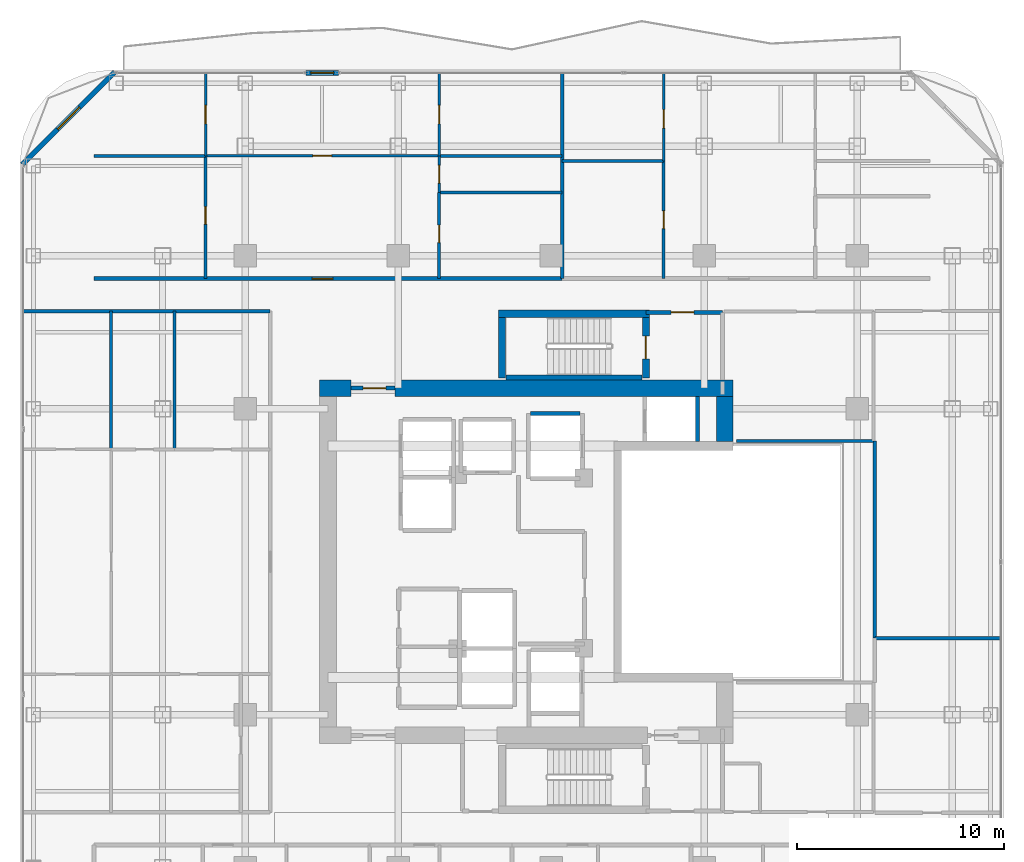
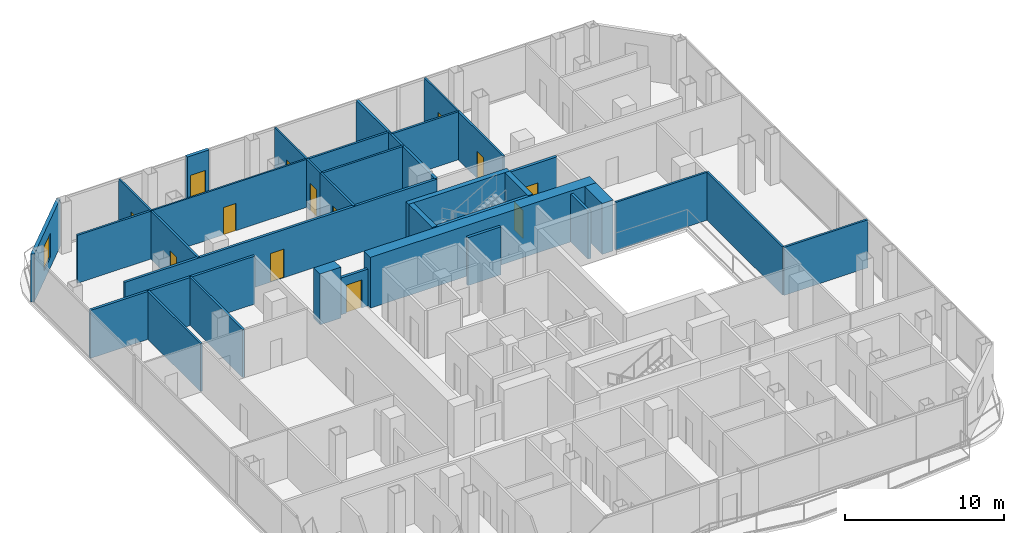
# One storey, part 21 of 25: 33 walls, 13 doors, 1 window, 14 openings.
"""IFC4 building model written with IfcOpenShell, lengths in metres."""

from ifc_helpers import new_model, si_unit, direction, frame, frame_2d, origin, place, context, subcontext, project, spatial, rectangle, extrude, material, layer, layer_set, type_object, element, fill, save


model = new_model("IFC4")

# Units and contexts
model_context = context("Model", 3, precision=1e-05, world=origin(), true_north=direction((0.0, 1.0)))
body_context = subcontext(model_context, "Body", "Model", "MODEL_VIEW")
ifc_project = project(units=[si_unit("LENGTHUNIT", "METRE"), si_unit("AREAUNIT", "SQUARE_METRE"), si_unit("VOLUMEUNIT", "CUBIC_METRE"), si_unit("PLANEANGLEUNIT", "RADIAN"), si_unit("MASSUNIT", "GRAM", prefix="KILO")], contexts=[model_context])

# Site, building, storey
site_placement = place(None, origin())
site = spatial("IfcSite", under=ifc_project, at=site_placement, CompositionType="ELEMENT")
building_placement = place(site_placement, origin())
building = spatial("IfcBuilding", under=site, at=building_placement, Name="Khorvyn Point Tower", CompositionType="ELEMENT")
storey_placement = place(building_placement, frame((0.0, 0.0, 171.89990234375)))
storey = spatial("IfcBuildingStorey", under=building, at=storey_placement, Name="L42", CompositionType="ELEMENT", Elevation=171.89990234375)

# Wall, opening, door
ifc_material_1 = material(Name="Double acoustic gypsum on twin steel stud", Category="steel")
ifc_layer_1 = layer(ifc_material_1, 0.179931640625)
ifc_layer_set_1 = layer_set([ifc_layer_1], Name="Acoustic Double-Stud Apartment Demising Wall 180")
wall_type_1 = type_object("IfcWallType", Name="Acoustic Double-Stud Apartment Demising Wall 180", PredefinedType="PARTITIONING", material=ifc_layer_set_1)
wall_1_placement = place(storey_placement, frame((-22.1201171875, 13.699951171875, 0.0), z_axis=(0.0, 0.0, 1.0), x_axis=(1.0, 0.0, 0.0)))
wall_1 = element("IfcWall", 1, at=wall_1_placement, inside=storey, type_object=wall_type_1, Name="Wall", PredefinedType="PARTITIONING", context=body_context, shape_type="SweptSolid", body=[
    extrude(rectangle(XDim=22.64599609375, YDim=0.179931640625, at=frame_2d((11.322998046875, 0.0))), origin(), (0.0, 0.0, 1.0), 3.68017578125),
])
opening_1_placement = place(wall_1_placement, frame((10.55419921875, 0.0, 0.0)))
opening_1 = element("IfcOpeningElement", 2, at=opening_1_placement, cuts=wall_1, Name="Opening ID-AP60", PredefinedType="OPENING", context=body_context, shape_type="SweptSolid", body=[
    extrude(rectangle(XDim=1.0, YDim=2.199951171875, at=frame_2d((0.5, 1.10009765625))), frame((0.0, 0.099853515625, 0.0), z_axis=(0.0, -1.0, 0.0), x_axis=(1.0, 0.0, 0.0)), (0.0, 0.0, 1.0), 0.199951171875),
])
ifc_material_2 = material(Name="Engineered hardwood fire-rated leaf", Category="wood")
door_type_1 = type_object("IfcDoorType", Name="Acoustic Solid-Core Timber Apartment Entrance Door 1000x2200", OperationType="NOTDEFINED", PredefinedType="DOOR", material=ifc_material_2)
door_1_placement = place(opening_1_placement, origin())
door_1 = element("IfcDoor", 3, at=door_1_placement, inside=storey, type_object=door_type_1, Name="Door", OperationType="SINGLE_SWING_RIGHT", OverallHeight=2.199951171875, OverallWidth=1.0, PredefinedType="DOOR", context=body_context, shape_type="SweptSolid", body=[
    extrude(rectangle(XDim=1.0, YDim=2.199951171875, at=frame_2d((0.5, 1.10009765625))), frame((0.0, 0.02490234375, 0.0), z_axis=(0.0, -1.0, 0.0), x_axis=(1.0, 0.0, 0.0)), (0.0, 0.0, 1.0), 0.050048828125),
])
fill(opening_1, door_1)

# Walls
wall_2_placement = place(storey_placement, frame((0.52587890625, 13.699951171875, 0.0), z_axis=(0.0, 0.0, 1.0), x_axis=(0.0, 1.0, 0.0)))
element("IfcWall", 4, at=wall_2_placement, inside=storey, type_object=wall_type_1, Name="Wall", PredefinedType="PARTITIONING", context=body_context, shape_type="SweptSolid", body=[
    extrude(rectangle(XDim=9.929931640625, YDim=0.179931640625, at=frame_2d((4.96484375, 0.0))), origin(), (0.0, 0.0, 1.0), 3.68017578125),
])
wall_3_placement = place(storey_placement, frame((-25.530029296875, 12.1201171875, 0.0), z_axis=(0.0, 0.0, 1.0), x_axis=(1.0, 0.0, 0.0)))
element("IfcWall", 5, at=wall_3_placement, inside=storey, type_object=wall_type_1, Name="Wall", PredefinedType="PARTITIONING", context=body_context, shape_type="SweptSolid", body=[
    extrude(rectangle(XDim=11.929931640625, YDim=0.179931640625, at=frame_2d((5.96484375, 0.0))), origin(), (0.0, 0.0, 1.0), 3.68017578125),
])

# Wall, opening, door
ifc_material_3 = material(Name="Pale anodised aluminium rainscreen on steel stud", Category="steel")
ifc_layer_2 = layer(ifc_material_3, 0.239990234375)
ifc_layer_set_2 = layer_set([ifc_layer_2], Name="Anodised Aluminium Insulated Corner Spandrel Wall 240")
wall_type_2 = type_object("IfcWallType", Name="Anodised Aluminium Insulated Corner Spandrel Wall 240", PredefinedType="SOLIDWALL", material=ifc_layer_set_2)
wall_4_placement = place(storey_placement, frame((-11.866943359375, 23.64990234375, 0.0), z_axis=(0.0, 0.0, 1.0), x_axis=(1.0, 0.0, 0.0)))
wall_4 = element("IfcWall", 6, at=wall_4_placement, inside=storey, type_object=wall_type_2, Name="L42 North Outdoor Threshold Wall", PredefinedType="SOLIDWALL", context=body_context, shape_type="SweptSolid", body=[
    extrude(rectangle(XDim=1.579833984375, YDim=0.239990234375, at=frame_2d((0.7900390625, 0.0))), origin(), (0.0, 0.0, 1.0), 3.68017578125),
])
opening_2_placement = place(wall_4_placement, frame((0.239990234375, 0.0, 0.0)))
opening_2 = element("IfcOpeningElement", 7, at=opening_2_placement, cuts=wall_4, Name="Opening BD-1122", PredefinedType="OPENING", context=body_context, shape_type="SweptSolid", body=[
    extrude(rectangle(XDim=1.10009765625, YDim=2.199951171875, at=frame_2d((0.550048828125, 1.10009765625))), frame((0.0, 0.1298828125, 0.0), z_axis=(0.0, -1.0, 0.0), x_axis=(1.0, 0.0, 0.0)), (0.0, 0.0, 1.0), 0.260009765625),
])
ifc_material_4 = material(Name="Anodised aluminium 6063-T6 and laminated Low-E glass", Category="aluminium")
door_type_2 = type_object("IfcDoorType", Name="Glazed Balcony and Terrace Threshold Door 1100x2200", OperationType="NOTDEFINED", PredefinedType="DOOR", material=ifc_material_4)
door_2_placement = place(opening_2_placement, origin())
door_2 = element("IfcDoor", 8, at=door_2_placement, inside=storey, type_object=door_type_2, Name="L42 North Glazed Balcony Outdoor Door", OperationType="SINGLE_SWING_RIGHT", OverallHeight=2.199951171875, OverallWidth=1.10009765625, PredefinedType="DOOR", context=body_context, shape_type="SweptSolid", body=[
    extrude(rectangle(XDim=1.10009765625, YDim=2.199951171875, at=frame_2d((0.550048828125, 1.10009765625))), frame((0.0, 0.02490234375, 0.0), z_axis=(0.0, -1.0, 0.0), x_axis=(1.0, 0.0, 0.0)), (0.0, 0.0, 1.0), 0.050048828125),
])
fill(opening_2, door_2)

# Wall, opening, window
wall_5_placement = place(storey_placement, frame((-25.59228515625, 19.20751953125, 0.0), z_axis=(0.0, 0.0, 1.0), x_axis=(0.707087534163, 0.707126027686, 0.0)))
wall_5 = element("IfcWall", 9, at=wall_5_placement, inside=storey, type_object=wall_type_2, Name="L42 Rounded Corner Wall NW", PredefinedType="SOLIDWALL", context=body_context, shape_type="SweptSolid", body=[
    extrude(rectangle(XDim=6.34228515625, YDim=0.239990234375, at=frame_2d((3.171142578125, 0.0))), origin(), (0.0, 0.0, 1.0), 3.68017578125),
])
opening_3_placement = place(wall_5_placement, frame((2.42138671875, 0.0, 0.800048828125)))
opening_3 = element("IfcOpeningElement", 10, at=opening_3_placement, cuts=wall_5, Name="Opening WN-1518", PredefinedType="OPENING", context=body_context, shape_type="SweptSolid", body=[
    extrude(rectangle(XDim=1.5, YDim=1.85009765625, at=frame_2d((0.75, 0.925048828125))), frame((0.0, 0.1298828125, 0.0), z_axis=(0.0, -1.0, 0.0), x_axis=(1.0, 0.0, 0.0)), (0.0, 0.0, 1.0), 0.260009765625),
])
window_type = type_object("IfcWindowType", Name="Anodised Aluminium Rounded-Corner Panoramic Window 1500x1850", PartitioningType="SINGLE_PANEL", PredefinedType="WINDOW", material=ifc_material_4)
window_placement = place(opening_3_placement, origin())
window = element("IfcWindow", 11, at=window_placement, inside=storey, type_object=window_type, Name="L42 Corner Panoramic Window NW", OverallHeight=1.85009765625, OverallWidth=1.5, PartitioningType="SINGLE_PANEL", PredefinedType="WINDOW", context=body_context, shape_type="SweptSolid", body=[
    extrude(rectangle(XDim=1.5, YDim=1.85009765625, at=frame_2d((0.75, 0.925048828125))), frame((0.0, 0.030029296875, 0.0), z_axis=(0.0, -1.0, 0.0), x_axis=(1.0, 0.0, 0.0)), (0.0, 0.0, 1.0), 0.06005859375),
])
fill(opening_3, window)

# Wall, opening, door
ifc_material_5 = material(Name="Concrete C40/50", Category="concrete")
ifc_layer_3 = layer(ifc_material_5, 0.199951171875)
ifc_layer_set_3 = layer_set([ifc_layer_3], Name="Concrete C40/50 Fire-Lobby Compartment Wall 200")
wall_type_3 = type_object("IfcWallType", Name="Concrete C40/50 Fire-Lobby Compartment Wall 200", PredefinedType="SOLIDWALL", material=ifc_layer_set_3)
wall_6_placement = place(storey_placement, frame((4.580078125, 12.06005859375, 0.0), z_axis=(0.0, 0.0, 1.0), x_axis=(1.0, 0.0, 0.0)))
wall_6 = element("IfcWall", 12, at=wall_6_placement, inside=storey, type_object=wall_type_3, Name="Wall", PredefinedType="SOLIDWALL", context=body_context, shape_type="SweptSolid", body=[
    extrude(rectangle(XDim=3.699951171875, YDim=0.199951171875, at=frame_2d((1.85009765625, 0.0))), origin(), (0.0, 0.0, 1.0), 3.68017578125),
])
opening_4_placement = place(wall_6_placement, frame((1.21240234375, 0.0, 0.0)))
opening_4 = element("IfcOpeningElement", 13, at=opening_4_placement, cuts=wall_6, Name="Opening ID-FL90", PredefinedType="OPENING", context=body_context, shape_type="SweptSolid", body=[
    extrude(rectangle(XDim=1.10009765625, YDim=2.14990234375, at=frame_2d((0.550048828125, 1.074951171875))), frame((0.0, 0.10986328125, 0.0), z_axis=(0.0, -1.0, 0.0), x_axis=(1.0, 0.0, 0.0)), (0.0, 0.0, 1.0), 0.219970703125),
])
ifc_material_6 = material(Name="Galvanised powder-coated steel", Category="steel")
door_type_3 = type_object("IfcDoorType", Name="Fire-Rated Steel Lobby and Stair Door 1100x2150", OperationType="NOTDEFINED", PredefinedType="DOOR", material=ifc_material_6)
door_3_placement = place(opening_4_placement, origin())
door_3 = element("IfcDoor", 14, at=door_3_placement, inside=storey, type_object=door_type_3, Name="Door", OperationType="SINGLE_SWING_RIGHT", OverallHeight=2.14990234375, OverallWidth=1.10009765625, PredefinedType="DOOR", context=body_context, shape_type="SweptSolid", body=[
    extrude(rectangle(XDim=1.10009765625, YDim=2.14990234375, at=frame_2d((0.550048828125, 1.074951171875))), frame((0.0, 0.02490234375, 0.0), z_axis=(0.0, -1.0, 0.0), x_axis=(1.0, 0.0, 0.0)), (0.0, 0.0, 1.0), 0.050048828125),
])
fill(opening_4, door_3)

wall_7_placement = place(storey_placement, frame((-9.699951171875, 8.39990234375, 0.0), z_axis=(0.0, 0.0, 1.0), x_axis=(1.0, 0.0, 0.0)))
wall_7 = element("IfcWall", 15, at=wall_7_placement, inside=storey, type_object=wall_type_3, Name="Wall", PredefinedType="SOLIDWALL", context=body_context, shape_type="SweptSolid", body=[
    extrude(rectangle(XDim=2.14990234375, YDim=0.199951171875, at=frame_2d((1.074951171875, 0.0))), origin(), (0.0, 0.0, 1.0), 2.820068359375),
])
opening_5_placement = place(wall_7_placement, frame((0.597900390625, 0.0, 0.0)))
opening_5 = element("IfcOpeningElement", 16, at=opening_5_placement, cuts=wall_7, Name="Opening ID-FL90", PredefinedType="OPENING", context=body_context, shape_type="SweptSolid", body=[
    extrude(rectangle(XDim=1.10009765625, YDim=2.14990234375, at=frame_2d((0.550048828125, 1.074951171875))), frame((0.0, 0.10986328125, 0.0), z_axis=(0.0, -1.0, 0.0), x_axis=(1.0, 0.0, 0.0)), (0.0, 0.0, 1.0), 0.219970703125),
])
door_4_placement = place(opening_5_placement, origin())
door_4 = element("IfcDoor", 17, at=door_4_placement, inside=storey, type_object=door_type_3, Name="Door", OperationType="SINGLE_SWING_RIGHT", OverallHeight=2.14990234375, OverallWidth=1.10009765625, PredefinedType="DOOR", context=body_context, shape_type="SweptSolid", body=[
    extrude(rectangle(XDim=1.10009765625, YDim=2.14990234375, at=frame_2d((0.550048828125, 1.074951171875))), frame((0.0, 0.02490234375, 0.0), z_axis=(0.0, -1.0, 0.0), x_axis=(1.0, 0.0, 0.0)), (0.0, 0.0, 1.0), 0.050048828125),
])
fill(opening_5, door_4)

# Walls
ifc_layer_4 = layer(ifc_material_5, 0.25)
ifc_layer_set_4 = layer_set([ifc_layer_4], Name="Concrete C40/50 Stair Inner Cheek Structural Wall 250")
wall_type_4 = type_object("IfcWallType", Name="Concrete C40/50 Stair Inner Cheek Structural Wall 250", PredefinedType="SHEAR", material=ifc_layer_set_4)
wall_8_placement = place(storey_placement, frame((-2.199951171875, 8.91259765625, 0.0), z_axis=(0.0, 0.0, 1.0), x_axis=(1.0, 0.0, 0.0)))
element("IfcWall", 18, at=wall_8_placement, inside=storey, type_object=wall_type_4, Name="Wall", PredefinedType="SHEAR", context=body_context, shape_type="SweptSolid", body=[
    extrude(rectangle(XDim=6.599853515625, YDim=0.22509765625, at=frame_2d((3.2998046875, 0.0))), origin(), (0.0, 0.0, 1.0), 3.900146484375),
])
ifc_layer_5 = layer(ifc_material_5, 0.35009765625)
ifc_layer_set_5 = layer_set([ifc_layer_5], Name="Concrete C40/50 Stair Shaft Structural Wall 350")
wall_type_5 = type_object("IfcWallType", Name="Concrete C40/50 Stair Shaft Structural Wall 350", PredefinedType="SHEAR", material=ifc_layer_set_5)
wall_9_placement = place(storey_placement, frame((-2.554931640625, 12.0, 0.0), z_axis=(0.0, 0.0, 1.0), x_axis=(1.0, 0.0, 0.0)))
element("IfcWall", 19, at=wall_9_placement, inside=storey, type_object=wall_type_5, Name="L42 ST-02 North Shaft Wall", PredefinedType="SHEAR", context=body_context, shape_type="SweptSolid", body=[
    extrude(rectangle(XDim=7.309814453125, YDim=0.35009765625, at=frame_2d((3.65478515625, 0.0))), origin(), (0.0, 0.0, 1.0), 3.900146484375),
])
wall_10_placement = place(storey_placement, frame((-2.3798828125, 8.89990234375, 0.0), z_axis=(0.0, 0.0, 1.0), x_axis=(0.0, 1.0, 0.0)))
element("IfcWall", 20, at=wall_10_placement, inside=storey, type_object=wall_type_5, Name="L42 ST-02 West Shaft Wall", PredefinedType="SHEAR", context=body_context, shape_type="SweptSolid", body=[
    extrude(rectangle(XDim=2.925048828125, YDim=0.35009765625, at=frame_2d((1.46240234375, 0.0))), origin(), (0.0, 0.0, 1.0), 3.900146484375),
])

# Wall, opening, door
wall_11_placement = place(storey_placement, frame((4.580078125, 11.824951171875, 0.0), z_axis=(0.0, 0.0, 1.0), x_axis=(0.0, -1.0, 0.0)))
wall_11 = element("IfcWall", 21, at=wall_11_placement, inside=storey, type_object=wall_type_5, Name="L42 ST-02 East Landing Door Wall", PredefinedType="SHEAR", context=body_context, shape_type="SweptSolid", body=[
    extrude(rectangle(XDim=2.925048828125, YDim=0.35009765625, at=frame_2d((1.46240234375, 0.0))), origin(), (0.0, 0.0, 1.0), 3.900146484375),
])
opening_6_placement = place(wall_11_placement, frame((0.91259765625, 0.0, 0.0)))
opening_6 = element("IfcOpeningElement", 22, at=opening_6_placement, cuts=wall_11, Name="Opening ID-FL90", PredefinedType="OPENING", context=body_context, shape_type="SweptSolid", body=[
    extrude(rectangle(XDim=1.10009765625, YDim=2.14990234375, at=frame_2d((0.550048828125, 1.074951171875))), frame((0.0, 0.18505859375, 0.0), z_axis=(0.0, -1.0, 0.0), x_axis=(1.0, 0.0, 0.0)), (0.0, 0.0, 1.0), 0.3701171875),
])
door_5_placement = place(opening_6_placement, origin())
door_5 = element("IfcDoor", 23, at=door_5_placement, inside=storey, type_object=door_type_3, Name="L42 ST-02 Smokeproof Landing Door", OperationType="SINGLE_SWING_LEFT", OverallHeight=2.14990234375, OverallWidth=1.10009765625, PredefinedType="DOOR", context=body_context, shape_type="SweptSolid", body=[
    extrude(rectangle(XDim=1.10009765625, YDim=2.14990234375, at=frame_2d((0.550048828125, 1.074951171875))), frame((0.0, 0.02490234375, 0.0), z_axis=(0.0, -1.0, 0.0), x_axis=(1.0, 0.0, 0.0)), (0.0, 0.0, 1.0), 0.050048828125),
])
fill(opening_6, door_5)

# Walls
ifc_layer_6 = layer(ifc_material_5, 0.199951171875)
ifc_layer_set_6 = layer_set([ifc_layer_6], Name="Concrete C40/50 Structural Hoistway and Stair Shaft Wall 200")
wall_type_6 = type_object("IfcWallType", Name="Concrete C40/50 Structural Hoistway and Stair Shaft Wall 200", PredefinedType="SHEAR", material=ifc_layer_set_6)
wall_12_placement = place(storey_placement, frame((-1.0, 7.175048828125, 0.0), z_axis=(0.0, 0.0, 1.0), x_axis=(1.0, 0.0, 0.0)))
element("IfcWall", 24, at=wall_12_placement, inside=storey, type_object=wall_type_6, Name="Wall", PredefinedType="SHEAR", context=body_context, shape_type="SweptSolid", body=[
    extrude(rectangle(XDim=2.39990234375, YDim=0.199951171875, at=frame_2d((1.199951171875, 0.0))), origin(), (0.0, 0.0, 1.0), 3.68017578125),
])
wall_13_placement = place(storey_placement, frame((7.074951171875, 5.824951171875, 0.0), z_axis=(0.0, 0.0, 1.0), x_axis=(0.0, 1.0, 0.0)))
element("IfcWall", 25, at=wall_13_placement, inside=storey, type_object=wall_type_6, Name="Wall", PredefinedType="SHEAR", context=body_context, shape_type="SweptSolid", body=[
    extrude(rectangle(XDim=2.175048828125, YDim=0.199951171875, at=frame_2d((1.08740234375, 0.0))), origin(), (0.0, 0.0, 1.0), 3.68017578125),
])
ifc_material_7 = material(Name="Concrete C45/55", Category="concrete")
ifc_layer_7 = layer(ifc_material_7, 0.800048828125)
ifc_layer_set_7 = layer_set([ifc_layer_7], Name="Concrete C45/55 Core Shear Wall 800")
wall_type_7 = type_object("IfcWallType", Name="Concrete C45/55 Core Shear Wall 800", PredefinedType="SHEAR", material=ifc_layer_set_7)
wall_14_placement = place(storey_placement, frame((-11.199951171875, 8.39990234375, 0.0), z_axis=(0.0, 0.0, 1.0), x_axis=(1.0, 0.0, 0.0)))
element("IfcWall", 26, at=wall_14_placement, inside=storey, type_object=wall_type_7, Name="Wall", PredefinedType="SHEAR", context=body_context, shape_type="SweptSolid", body=[
    extrude(rectangle(XDim=1.5, YDim=0.800048828125, at=frame_2d((0.75, 0.0))), origin(), (0.0, 0.0, 1.0), 3.900146484375),
])
wall_15_placement = place(storey_placement, frame((-7.550048828125, 8.39990234375, 0.0), z_axis=(0.0, 0.0, 1.0), x_axis=(1.0, 0.0, 0.0)))
element("IfcWall", 27, at=wall_15_placement, inside=storey, type_object=wall_type_7, Name="Wall", PredefinedType="SHEAR", context=body_context, shape_type="SweptSolid", body=[
    extrude(rectangle(XDim=16.35009765625, YDim=0.800048828125, at=frame_2d((8.175048828125, 0.0))), origin(), (0.0, 0.0, 1.0), 3.900146484375),
])
wall_16_placement = place(storey_placement, frame((8.39990234375, 5.824951171875, 0.0), z_axis=(0.0, 0.0, 1.0), x_axis=(0.0, 1.0, 0.0)))
element("IfcWall", 28, at=wall_16_placement, inside=storey, type_object=wall_type_7, Name="Wall", PredefinedType="SHEAR", context=body_context, shape_type="SweptSolid", body=[
    extrude(rectangle(XDim=2.175048828125, YDim=0.800048828125, at=frame_2d((1.08740234375, 0.0))), origin(), (0.0, 0.0, 1.0), 3.900146484375),
])

# Wall, opening, door
ifc_material_8 = material(Name="Gypsum plasterboard on steel stud", Category="steel")
ifc_layer_8 = layer(ifc_material_8, 0.1201171875)
ifc_layer_set_8 = layer_set([ifc_layer_8], Name="Gypsum Acoustic Stud Room Partition Wall 120")
wall_type_8 = type_object("IfcWallType", Name="Gypsum Acoustic Stud Room Partition Wall 120", PredefinedType="PARTITIONING", material=ifc_layer_set_8)
wall_17_placement = place(storey_placement, frame((-16.72607421875, 19.634033203125, 0.0), z_axis=(0.0, 0.0, 1.0), x_axis=(1.0, 0.0, 0.0)))
wall_17 = element("IfcWall", 29, at=wall_17_placement, inside=storey, type_object=wall_type_8, Name="Wall", PredefinedType="PARTITIONING", context=body_context, shape_type="SweptSolid", body=[
    extrude(rectangle(XDim=11.298095703125, YDim=0.1201171875, at=frame_2d((5.64892578125, 0.0))), origin(), (0.0, 0.0, 1.0), 3.68017578125),
])
opening_7_placement = place(wall_17_placement, frame((5.198974609375, 0.0, 0.0)))
opening_7 = element("IfcOpeningElement", 30, at=opening_7_placement, cuts=wall_17, Name="Opening ID-RM90", PredefinedType="OPENING", context=body_context, shape_type="SweptSolid", body=[
    extrude(rectangle(XDim=0.89990234375, YDim=2.10009765625, at=frame_2d((0.449951171875, 1.050048828125))), frame((0.0, 0.070068359375, 0.0), z_axis=(0.0, -1.0, 0.0), x_axis=(1.0, 0.0, 0.0)), (0.0, 0.0, 1.0), 0.14013671875),
])
ifc_material_9 = material(Name="Engineered oak veneer timber", Category="wood")
door_type_4 = type_object("IfcDoorType", Name="Flush Engineered Timber Room Door 900x2100", OperationType="NOTDEFINED", PredefinedType="DOOR", material=ifc_material_9)
door_6_placement = place(opening_7_placement, origin())
door_6 = element("IfcDoor", 31, at=door_6_placement, inside=storey, type_object=door_type_4, Name="Door", OperationType="SINGLE_SWING_LEFT", OverallHeight=2.10009765625, OverallWidth=0.89990234375, PredefinedType="DOOR", context=body_context, shape_type="SweptSolid", body=[
    extrude(rectangle(XDim=0.89990234375, YDim=2.10009765625, at=frame_2d((0.449951171875, 1.050048828125))), frame((0.0, 0.02490234375, 0.0), z_axis=(0.0, -1.0, 0.0), x_axis=(1.0, 0.0, 0.0)), (0.0, 0.0, 1.0), 0.050048828125),
])
fill(opening_7, door_6)

wall_18_placement = place(storey_placement, frame((-16.72607421875, 19.634033203125, 0.0), z_axis=(0.0, 0.0, 1.0), x_axis=(0.0, 1.0, 0.0)))
wall_18 = element("IfcWall", 32, at=wall_18_placement, inside=storey, type_object=wall_type_8, Name="Wall", PredefinedType="PARTITIONING", context=body_context, shape_type="SweptSolid", body=[
    extrude(rectangle(XDim=3.995849609375, YDim=0.1201171875, at=frame_2d((1.998046875, 0.0))), origin(), (0.0, 0.0, 1.0), 3.68017578125),
])
opening_8_placement = place(wall_18_placement, frame((1.548095703125, 0.0, 0.0)))
opening_8 = element("IfcOpeningElement", 33, at=opening_8_placement, cuts=wall_18, Name="Opening ID-RM90", PredefinedType="OPENING", context=body_context, shape_type="SweptSolid", body=[
    extrude(rectangle(XDim=0.89990234375, YDim=2.10009765625, at=frame_2d((0.449951171875, 1.050048828125))), frame((0.0, 0.070068359375, 0.0), z_axis=(0.0, -1.0, 0.0), x_axis=(1.0, 0.0, 0.0)), (0.0, 0.0, 1.0), 0.14013671875),
])
door_7_placement = place(opening_8_placement, origin())
door_7 = element("IfcDoor", 34, at=door_7_placement, inside=storey, type_object=door_type_4, Name="Door", OperationType="SINGLE_SWING_LEFT", OverallHeight=2.10009765625, OverallWidth=0.89990234375, PredefinedType="DOOR", context=body_context, shape_type="SweptSolid", body=[
    extrude(rectangle(XDim=0.89990234375, YDim=2.10009765625, at=frame_2d((0.449951171875, 1.050048828125))), frame((0.0, 0.02490234375, 0.0), z_axis=(0.0, -1.0, 0.0), x_axis=(1.0, 0.0, 0.0)), (0.0, 0.0, 1.0), 0.050048828125),
])
fill(opening_8, door_7)

wall_19_placement = place(storey_placement, frame((-5.427978515625, 17.85400390625, 0.0), z_axis=(0.0, 0.0, 1.0), x_axis=(0.0, 1.0, 0.0)))
wall_19 = element("IfcWall", 35, at=wall_19_placement, inside=storey, type_object=wall_type_8, Name="Wall", PredefinedType="PARTITIONING", context=body_context, shape_type="SweptSolid", body=[
    extrude(rectangle(XDim=1.780029296875, YDim=0.1201171875, at=frame_2d((0.89013671875, 0.0))), origin(), (0.0, 0.0, 1.0), 3.68017578125),
])
opening_9_placement = place(wall_19_placement, frame((0.465087890625, 0.0, 0.0)))
opening_9 = element("IfcOpeningElement", 36, at=opening_9_placement, cuts=wall_19, Name="Opening ID-WC85", PredefinedType="OPENING", context=body_context, shape_type="SweptSolid", body=[
    extrude(rectangle(XDim=0.85009765625, YDim=2.10009765625, at=frame_2d((0.425048828125, 1.050048828125))), frame((0.0, 0.070068359375, 0.0), z_axis=(0.0, -1.0, 0.0), x_axis=(1.0, 0.0, 0.0)), (0.0, 0.0, 1.0), 0.14013671875),
])
ifc_material_10 = material(Name="High-pressure laminate on moisture-resistant core", Category="wood")
door_type_5 = type_object("IfcDoorType", Name="Moisture-Resistant Accessible Washroom Door 850x2100", OperationType="NOTDEFINED", PredefinedType="DOOR", material=ifc_material_10)
door_8_placement = place(opening_9_placement, origin())
door_8 = element("IfcDoor", 37, at=door_8_placement, inside=storey, type_object=door_type_5, Name="Door", OperationType="SINGLE_SWING_LEFT", OverallHeight=2.10009765625, OverallWidth=0.85009765625, PredefinedType="DOOR", context=body_context, shape_type="SweptSolid", body=[
    extrude(rectangle(XDim=0.85009765625, YDim=2.10009765625, at=frame_2d((0.425048828125, 1.050048828125))), frame((0.0, 0.02490234375, 0.0), z_axis=(0.0, -1.0, 0.0), x_axis=(1.0, 0.0, 0.0)), (0.0, 0.0, 1.0), 0.050048828125),
])
fill(opening_9, door_8)

wall_20_placement = place(storey_placement, frame((-5.427978515625, 19.634033203125, 0.0), z_axis=(0.0, 0.0, 1.0), x_axis=(0.0, 1.0, 0.0)))
wall_20 = element("IfcWall", 38, at=wall_20_placement, inside=storey, type_object=wall_type_8, Name="Wall", PredefinedType="PARTITIONING", context=body_context, shape_type="SweptSolid", body=[
    extrude(rectangle(XDim=3.995849609375, YDim=0.1201171875, at=frame_2d((1.998046875, 0.0))), origin(), (0.0, 0.0, 1.0), 3.68017578125),
])
opening_10_placement = place(wall_20_placement, frame((1.548095703125, 0.0, 0.0)))
opening_10 = element("IfcOpeningElement", 39, at=opening_10_placement, cuts=wall_20, Name="Opening ID-RM90", PredefinedType="OPENING", context=body_context, shape_type="SweptSolid", body=[
    extrude(rectangle(XDim=0.89990234375, YDim=2.10009765625, at=frame_2d((0.449951171875, 1.050048828125))), frame((0.0, 0.070068359375, 0.0), z_axis=(0.0, -1.0, 0.0), x_axis=(1.0, 0.0, 0.0)), (0.0, 0.0, 1.0), 0.14013671875),
])
door_9_placement = place(opening_10_placement, origin())
door_9 = element("IfcDoor", 40, at=door_9_placement, inside=storey, type_object=door_type_4, Name="Door", OperationType="SINGLE_SWING_RIGHT", OverallHeight=2.10009765625, OverallWidth=0.89990234375, PredefinedType="DOOR", context=body_context, shape_type="SweptSolid", body=[
    extrude(rectangle(XDim=0.89990234375, YDim=2.10009765625, at=frame_2d((0.449951171875, 1.050048828125))), frame((0.0, 0.02490234375, 0.0), z_axis=(0.0, -1.0, 0.0), x_axis=(1.0, 0.0, 0.0)), (0.0, 0.0, 1.0), 0.050048828125),
])
fill(opening_10, door_9)

wall_21_placement = place(storey_placement, frame((5.430908203125, 19.389892578125, 0.0), z_axis=(0.0, 0.0, 1.0), x_axis=(0.0, 1.0, 0.0)))
wall_21 = element("IfcWall", 41, at=wall_21_placement, inside=storey, type_object=wall_type_8, Name="Wall", PredefinedType="PARTITIONING", context=body_context, shape_type="SweptSolid", body=[
    extrude(rectangle(XDim=4.239990234375, YDim=0.1201171875, at=frame_2d((2.1201171875, 0.0))), origin(), (0.0, 0.0, 1.0), 3.68017578125),
])
opening_11_placement = place(wall_21_placement, frame((1.581298828125, 0.0, 0.0)))
opening_11 = element("IfcOpeningElement", 42, at=opening_11_placement, cuts=wall_21, Name="Opening ID-RM90", PredefinedType="OPENING", context=body_context, shape_type="SweptSolid", body=[
    extrude(rectangle(XDim=0.89990234375, YDim=2.10009765625, at=frame_2d((0.449951171875, 1.050048828125))), frame((0.0, 0.070068359375, 0.0), z_axis=(0.0, -1.0, 0.0), x_axis=(1.0, 0.0, 0.0)), (0.0, 0.0, 1.0), 0.14013671875),
])
door_10_placement = place(opening_11_placement, origin())
door_10 = element("IfcDoor", 43, at=door_10_placement, inside=storey, type_object=door_type_4, Name="Door", OperationType="SINGLE_SWING_LEFT", OverallHeight=2.10009765625, OverallWidth=0.89990234375, PredefinedType="DOOR", context=body_context, shape_type="SweptSolid", body=[
    extrude(rectangle(XDim=0.89990234375, YDim=2.10009765625, at=frame_2d((0.449951171875, 1.050048828125))), frame((0.0, 0.02490234375, 0.0), z_axis=(0.0, -1.0, 0.0), x_axis=(1.0, 0.0, 0.0)), (0.0, 0.0, 1.0), 0.050048828125),
])
fill(opening_11, door_10)

ifc_material_11 = material(Name="Moisture-resistant gypsum and cement board", Category="gypsum")
ifc_layer_9 = layer(ifc_material_11, 0.14990234375)
ifc_layer_set_9 = layer_set([ifc_layer_9], Name="Moisture-Resistant Wet-Room Partition Wall 150")
wall_type_9 = type_object("IfcWallType", Name="Moisture-Resistant Wet-Room Partition Wall 150", PredefinedType="PARTITIONING", material=ifc_layer_set_9)
wall_22_placement = place(storey_placement, frame((-16.72607421875, 13.699951171875, 0.0), z_axis=(0.0, 0.0, 1.0), x_axis=(0.0, 1.0, 0.0)))
wall_22 = element("IfcWall", 44, at=wall_22_placement, inside=storey, type_object=wall_type_9, Name="Wall", PredefinedType="PARTITIONING", context=body_context, shape_type="SweptSolid", body=[
    extrude(rectangle(XDim=5.93408203125, YDim=0.14990234375, at=frame_2d((2.967041015625, 0.0))), origin(), (0.0, 0.0, 1.0), 3.68017578125),
])
opening_12_placement = place(wall_22_placement, frame((2.630126953125, 0.0, 0.0)))
opening_12 = element("IfcOpeningElement", 45, at=opening_12_placement, cuts=wall_22, Name="Opening ID-WC85", PredefinedType="OPENING", context=body_context, shape_type="SweptSolid", body=[
    extrude(rectangle(XDim=0.85009765625, YDim=2.10009765625, at=frame_2d((0.425048828125, 1.050048828125))), frame((0.0, 0.0849609375, 0.0), z_axis=(0.0, -1.0, 0.0), x_axis=(1.0, 0.0, 0.0)), (0.0, 0.0, 1.0), 0.169921875),
])
door_11_placement = place(opening_12_placement, origin())
door_11 = element("IfcDoor", 46, at=door_11_placement, inside=storey, type_object=door_type_5, Name="Door", OperationType="SINGLE_SWING_RIGHT", OverallHeight=2.10009765625, OverallWidth=0.85009765625, PredefinedType="DOOR", context=body_context, shape_type="SweptSolid", body=[
    extrude(rectangle(XDim=0.85009765625, YDim=2.10009765625, at=frame_2d((0.425048828125, 1.050048828125))), frame((0.0, 0.02490234375, 0.0), z_axis=(0.0, -1.0, 0.0), x_axis=(1.0, 0.0, 0.0)), (0.0, 0.0, 1.0), 0.050048828125),
])
fill(opening_12, door_11)

wall_23_placement = place(storey_placement, frame((-5.427978515625, 13.699951171875, 0.0), z_axis=(0.0, 0.0, 1.0), x_axis=(0.0, 1.0, 0.0)))
wall_23 = element("IfcWall", 47, at=wall_23_placement, inside=storey, type_object=wall_type_9, Name="Wall", PredefinedType="PARTITIONING", context=body_context, shape_type="SweptSolid", body=[
    extrude(rectangle(XDim=4.154052734375, YDim=0.14990234375, at=frame_2d((2.0771484375, 0.0))), origin(), (0.0, 0.0, 1.0), 3.68017578125),
])
opening_13_placement = place(wall_23_placement, frame((1.73974609375, 0.0, 0.0)))
opening_13 = element("IfcOpeningElement", 48, at=opening_13_placement, cuts=wall_23, Name="Opening ID-WC85", PredefinedType="OPENING", context=body_context, shape_type="SweptSolid", body=[
    extrude(rectangle(XDim=0.85009765625, YDim=2.10009765625, at=frame_2d((0.425048828125, 1.050048828125))), frame((0.0, 0.0849609375, 0.0), z_axis=(0.0, -1.0, 0.0), x_axis=(1.0, 0.0, 0.0)), (0.0, 0.0, 1.0), 0.169921875),
])
door_12_placement = place(opening_13_placement, origin())
door_12 = element("IfcDoor", 49, at=door_12_placement, inside=storey, type_object=door_type_5, Name="Door", OperationType="SINGLE_SWING_RIGHT", OverallHeight=2.10009765625, OverallWidth=0.85009765625, PredefinedType="DOOR", context=body_context, shape_type="SweptSolid", body=[
    extrude(rectangle(XDim=0.85009765625, YDim=2.10009765625, at=frame_2d((0.425048828125, 1.050048828125))), frame((0.0, 0.02490234375, 0.0), z_axis=(0.0, -1.0, 0.0), x_axis=(1.0, 0.0, 0.0)), (0.0, 0.0, 1.0), 0.050048828125),
])
fill(opening_13, door_12)

wall_24_placement = place(storey_placement, frame((5.430908203125, 13.699951171875, 0.0), z_axis=(0.0, 0.0, 1.0), x_axis=(0.0, 1.0, 0.0)))
wall_24 = element("IfcWall", 50, at=wall_24_placement, inside=storey, type_object=wall_type_9, Name="Wall", PredefinedType="PARTITIONING", context=body_context, shape_type="SweptSolid", body=[
    extrude(rectangle(XDim=5.68994140625, YDim=0.14990234375, at=frame_2d((2.844970703125, 0.0))), origin(), (0.0, 0.0, 1.0), 3.68017578125),
])
opening_14_placement = place(wall_24_placement, frame((2.419921875, 0.0, 0.0)))
opening_14 = element("IfcOpeningElement", 51, at=opening_14_placement, cuts=wall_24, Name="Opening ID-WC85", PredefinedType="OPENING", context=body_context, shape_type="SweptSolid", body=[
    extrude(rectangle(XDim=0.85009765625, YDim=2.10009765625, at=frame_2d((0.425048828125, 1.050048828125))), frame((0.0, 0.0849609375, 0.0), z_axis=(0.0, -1.0, 0.0), x_axis=(1.0, 0.0, 0.0)), (0.0, 0.0, 1.0), 0.169921875),
])
door_13_placement = place(opening_14_placement, origin())
door_13 = element("IfcDoor", 52, at=door_13_placement, inside=storey, type_object=door_type_5, Name="Door", OperationType="SINGLE_SWING_RIGHT", OverallHeight=2.10009765625, OverallWidth=0.85009765625, PredefinedType="DOOR", context=body_context, shape_type="SweptSolid", body=[
    extrude(rectangle(XDim=0.85009765625, YDim=2.10009765625, at=frame_2d((0.425048828125, 1.050048828125))), frame((0.0, 0.02490234375, 0.0), z_axis=(0.0, -1.0, 0.0), x_axis=(1.0, 0.0, 0.0)), (0.0, 0.0, 1.0), 0.050048828125),
])
fill(opening_14, door_13)

# Walls
wall_25_placement = place(storey_placement, frame((8.9599609375, 5.85009765625, 0.0), z_axis=(0.0, 0.0, 1.0), x_axis=(1.0, 0.0, 0.0)))
element("IfcWall", 53, at=wall_25_placement, inside=storey, type_object=wall_type_9, Name="Wall", PredefinedType="PARTITIONING", context=body_context, shape_type="SweptSolid", body=[
    extrude(rectangle(XDim=6.6201171875, YDim=0.14990234375, at=frame_2d((3.31005859375, 0.0))), origin(), (0.0, 0.0, 1.0), 3.68017578125),
])
wall_26_placement = place(storey_placement, frame((-22.1201171875, 19.634033203125, 0.0), z_axis=(0.0, 0.0, 1.0), x_axis=(1.0, 0.0, 0.0)))
element("IfcWall", 54, at=wall_26_placement, inside=storey, type_object=wall_type_9, Name="Wall", PredefinedType="PARTITIONING", context=body_context, shape_type="SweptSolid", body=[
    extrude(rectangle(XDim=5.39404296875, YDim=0.14990234375, at=frame_2d((2.697021484375, 0.0))), origin(), (0.0, 0.0, 1.0), 3.68017578125),
])
for number, where, z_axis, x_axis, name in (
    (55, (-5.427978515625, 17.85400390625, 0.0), (0.0, 0.0, 1.0), (1.0, 0.0, 0.0), "Wall"),
    (56, (-5.427978515625, 19.634033203125, 0.0), (0.0, 0.0, 1.0), (1.0, 0.0, 0.0), "Wall"),
):
    element("IfcWall", number, at=place(storey_placement, frame(where, z_axis=z_axis, x_axis=x_axis)), inside=storey, type_object=wall_type_9, Name=name, PredefinedType="PARTITIONING", context=body_context, shape_type="SweptSolid", body=[
        extrude(rectangle(XDim=5.953857421875, YDim=0.14990234375, at=frame_2d((2.97705078125, 0.0))), origin(), (0.0, 0.0, 1.0), 3.68017578125),
    ])
wall_27_placement = place(storey_placement, frame((0.52587890625, 19.389892578125, 0.0), z_axis=(0.0, 0.0, 1.0), x_axis=(1.0, 0.0, 0.0)))
element("IfcWall", 57, at=wall_27_placement, inside=storey, type_object=wall_type_9, Name="Wall", PredefinedType="PARTITIONING", context=body_context, shape_type="SweptSolid", body=[
    extrude(rectangle(XDim=4.905029296875, YDim=0.14990234375, at=frame_2d((2.45263671875, 0.0))), origin(), (0.0, 0.0, 1.0), 3.68017578125),
])
for number, where, z_axis, x_axis, name in (
    (58, (-18.222900390625, 5.43603515625, 0.0), (0.0, 0.0, 1.0), (0.0, 1.0, 0.0), "Wall"),
    (59, (-21.2900390625, 5.43603515625, 0.0), (0.0, 0.0, 1.0), (0.0, 1.0, 0.0), "Wall"),
):
    element("IfcWall", number, at=place(storey_placement, frame(where, z_axis=z_axis, x_axis=x_axis)), inside=storey, type_object=wall_type_9, Name=name, PredefinedType="PARTITIONING", context=body_context, shape_type="SweptSolid", body=[
        extrude(rectangle(XDim=6.68408203125, YDim=0.14990234375, at=frame_2d((3.342041015625, 0.0))), origin(), (0.0, 0.0, 1.0), 3.68017578125),
    ])
wall_28_placement = place(storey_placement, frame((15.64990234375, -3.699951171875, 0.0), z_axis=(0.0, 0.0, 1.0), x_axis=(0.0, 1.0, 0.0)))
element("IfcWall", 60, at=wall_28_placement, inside=storey, type_object=wall_type_9, Name="Wall", PredefinedType="PARTITIONING", context=body_context, shape_type="SweptSolid", body=[
    extrude(rectangle(XDim=9.550048828125, YDim=0.14990234375, at=frame_2d((4.77490234375, 0.0))), origin(), (0.0, 0.0, 1.0), 3.68017578125),
])
wall_29_placement = place(storey_placement, frame((15.64990234375, -3.699951171875, 0.0), z_axis=(0.0, 0.0, 1.0), x_axis=(1.0, 0.0, 0.0)))
element("IfcWall", 61, at=wall_29_placement, inside=storey, type_object=wall_type_9, Name="Wall", PredefinedType="PARTITIONING", context=body_context, shape_type="SweptSolid", body=[
    extrude(rectangle(XDim=6.080078125, YDim=0.14990234375, at=frame_2d((3.0400390625, 0.0))), origin(), (0.0, 0.0, 1.0), 3.68017578125),
])

save(model, "model.ifc")
